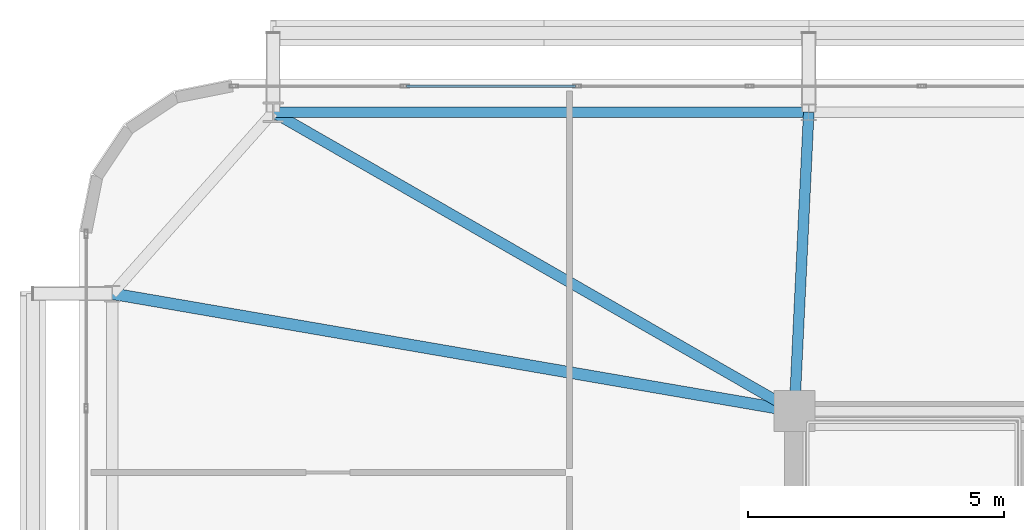
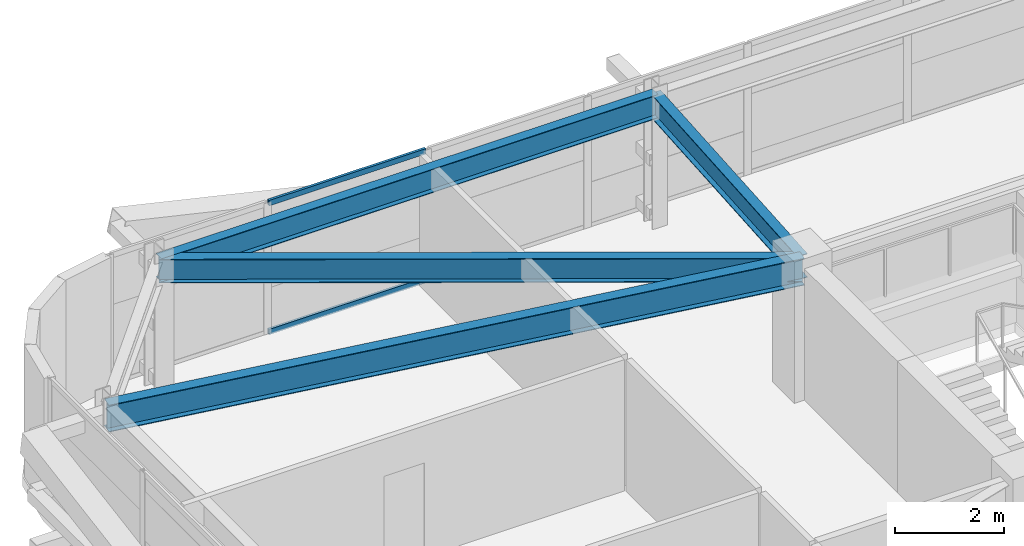
# One storey, part 34 of 58: 4 beams, 2 members, 1 element without a shape of its own.
"""IFC4 building model written with IfcOpenShell, lengths in metres."""

import ifcopenshell
import ifcopenshell.guid

model = None  # the IFC model being written
_history = None  # IfcOwnerHistory: only IFC2X3 demands one
_inside = {}  # id of a spatial element -> (the spatial element, [elements in it])
_under = {}  # id of a project, library or spatial element -> (it, [spatial elements below it])
_declared = {}  # id of a project -> (the project, [libraries it declares])
_typed = {}  # id of a type object -> (the type object, [elements of that type])
_made_of = {}  # id of a material, layer set ... -> (it, [elements and type objects made of it])


def new_model(schema):
    """Start an empty IFC model of exactly this schema.

    Asked for "IFC4X3", IfcOpenShell would pick the latest addendum, in which some entities
    have other attributes; the version numbers below select the first issue.
    IFC2X3 requires an IfcOwnerHistory on every rooted entity: one is made here for all.
    """
    global model, _history
    if schema == "IFC4X3":
        model = ifcopenshell.file(schema_version=(4, 3, 0, 0))
    else:
        model = ifcopenshell.file(schema=schema)
    _inside.clear()
    _under.clear()
    _declared.clear()
    _typed.clear()
    _made_of.clear()
    _history = None
    if model.schema == "IFC2X3":
        org = make("IfcOrganization", Name="unknown")
        user = make(
            "IfcPersonAndOrganization",
            ThePerson=make("IfcPerson", FamilyName="unknown"),
            TheOrganization=org,
        )
        app = make(
            "IfcApplication",
            ApplicationDeveloper=org,
            Version="unknown",
            ApplicationFullName="unknown",
            ApplicationIdentifier="unknown",
        )
        _history = make(
            "IfcOwnerHistory",
            OwningUser=user,
            OwningApplication=app,
            ChangeAction="ADDED",
            CreationDate=0,
        )
    return model


def make(cls, **values):
    """One entity of the class cls with the attributes given. An attribute that is None is left unset."""
    return model.create_entity(
        cls, **{name: value for name, value in values.items() if value is not None}
    )


def rooted(cls, **values):
    """An entity with a GlobalId (a new one), such as an element, a storey or a relation."""
    return make(cls, GlobalId=ifcopenshell.guid.new(), OwnerHistory=_history, **values)


def si_unit(unit_type, name, prefix=None):
    """IfcSIUnit, for example si_unit("LENGTHUNIT", "METRE", prefix="MILLI")."""
    return make("IfcSIUnit", UnitType=unit_type, Prefix=prefix, Name=name)


def assignment(units):
    """IfcUnitAssignment: the units of a project."""
    return None if units is None else make("IfcUnitAssignment", Units=units)


def point(xyz):
    """IfcCartesianPoint."""
    return None if xyz is None else make("IfcCartesianPoint", Coordinates=xyz)


def direction(xyz):
    """IfcDirection."""
    return None if xyz is None else make("IfcDirection", DirectionRatios=xyz)


def frame(location, z_axis=None, x_axis=None):
    """IfcAxis2Placement3D, a coordinate frame: its origin and axes. An axis left out is left unset."""
    return make(
        "IfcAxis2Placement3D",
        Location=point(location),
        Axis=direction(z_axis),
        RefDirection=direction(x_axis),
    )


def frame_2d(location, x_axis=None):
    """IfcAxis2Placement2D, a coordinate frame in the plane: its origin and x axis."""
    return make(
        "IfcAxis2Placement2D", Location=point(location), RefDirection=direction(x_axis)
    )


def origin():
    """The frame at (0, 0, 0) with its axes left unset."""
    return frame((0.0, 0.0, 0.0))


def origin_2d():
    """The frame at (0, 0) in the plane with its x axis left unset."""
    return frame_2d((0.0, 0.0))


def place(relative_to, where):
    """IfcLocalPlacement: puts the frame where relative to a parent placement (None: the world)."""
    return make(
        "IfcLocalPlacement", PlacementRelTo=relative_to, RelativePlacement=where
    )


def context(
    kind, dimensions, precision=None, world=None, true_north=None, identifier=None
):
    """IfcGeometricRepresentationContext, for example the 3D "Model" context."""
    return make(
        "IfcGeometricRepresentationContext",
        ContextIdentifier=identifier,
        ContextType=kind,
        CoordinateSpaceDimension=dimensions,
        Precision=precision,
        WorldCoordinateSystem=world,
        TrueNorth=true_north,
    )


def subcontext(parent, identifier, kind, view, scale=None):
    """IfcGeometricRepresentationSubContext, for example "Body" below "Model"."""
    return make(
        "IfcGeometricRepresentationSubContext",
        ContextIdentifier=identifier,
        ContextType=kind,
        ParentContext=parent,
        TargetScale=scale,
        TargetView=view,
    )


def project(units=None, contexts=None):
    """IfcProject with its units and contexts."""
    return rooted(
        "IfcProject",
        Name="project",
        RepresentationContexts=contexts,
        UnitsInContext=assignment(units),
    )


def spatial(cls, under=None, at=None, **own):
    """A site, building, storey or space (cls), placed at a placement, below another one or the project."""
    s = rooted(cls, ObjectPlacement=at, **own)
    if under is not None:
        _under.setdefault(under.id(), (under, []))[1].append(s)
    return s


def profile(cls, at=None, kind="AREA", **sizes):
    """A parametric profile (cls). Its sizes go by their IFC names, for example OverallWidth=200.0."""
    return make(cls, ProfileType=kind, Position=at, **sizes)


def hollow_rectangle(**sizes):
    """IfcRectangleHollowProfileDef."""
    return profile("IfcRectangleHollowProfileDef", **sizes)


def i_section(**sizes):
    """IfcIShapeProfileDef."""
    return profile("IfcIShapeProfileDef", **sizes)


def extrude(swept, where, along, depth):
    """IfcExtrudedAreaSolid: the profile swept, set in the frame where, extruded along a direction by depth."""
    return make(
        "IfcExtrudedAreaSolid",
        SweptArea=swept,
        Position=where,
        ExtrudedDirection=direction(along),
        Depth=depth,
    )


def shape(context_of_items, identifier, shape_type, items):
    """IfcShapeRepresentation: the items that make up one representation, for example the "Body"."""
    return make(
        "IfcShapeRepresentation",
        ContextOfItems=context_of_items,
        RepresentationIdentifier=identifier,
        RepresentationType=shape_type,
        Items=items,
    )


def source(mapping_origin, context_of_items, identifier, shape_type, items):
    """IfcRepresentationMap: a shape defined once, which mapped items show again and again."""
    return make(
        "IfcRepresentationMap",
        MappingOrigin=mapping_origin,
        MappedRepresentation=shape(context_of_items, identifier, shape_type, items),
    )


def transform(
    local_origin,
    x_axis=None,
    y_axis=None,
    z_axis=None,
    scale=None,
    scale2=None,
    scale3=None,
    uniform=True,
):
    """IfcCartesianTransformationOperator3D, or its non-uniform kind. x_axis, y_axis, z_axis: its Axis1, 2, 3."""
    if uniform:
        return make(
            "IfcCartesianTransformationOperator3D",
            Axis1=direction(x_axis),
            Axis2=direction(y_axis),
            LocalOrigin=point(local_origin),
            Scale=scale,
            Axis3=direction(z_axis),
        )
    return make(
        "IfcCartesianTransformationOperator3DnonUniform",
        Axis1=direction(x_axis),
        Axis2=direction(y_axis),
        LocalOrigin=point(local_origin),
        Scale=scale,
        Axis3=direction(z_axis),
        Scale2=scale2,
        Scale3=scale3,
    )


def mapped(mapping_source, mapping_target):
    """IfcMappedItem: shows the shape of a source again, moved by a transform."""
    return make(
        "IfcMappedItem", MappingSource=mapping_source, MappingTarget=mapping_target
    )


def material(Name=None, Category=None):
    """IfcMaterial."""
    return make("IfcMaterial", Name=Name, Category=Category)


def layer(
    of_material, thickness, ventilated=None, Name=None, Category=None, Priority=None
):
    """IfcMaterialLayer: one layer of a wall or slab, of a material (None: an air gap)."""
    return make(
        "IfcMaterialLayer",
        Material=of_material,
        LayerThickness=thickness,
        IsVentilated=ventilated,
        Name=Name,
        Category=Category,
        Priority=Priority,
    )


def layer_set(layers, Name=None):
    """IfcMaterialLayerSet."""
    return make("IfcMaterialLayerSet", MaterialLayers=layers, LayerSetName=Name)


def material_profile(
    of_material, cross_section, Name=None, Category=None, Priority=None
):
    """IfcMaterialProfile: a cross section and its material."""
    return make(
        "IfcMaterialProfile",
        Name=Name,
        Material=of_material,
        Profile=cross_section,
        Priority=Priority,
        Category=Category,
    )


def profile_set(profiles, Name=None, composite=None):
    """IfcMaterialProfileSet."""
    return make(
        "IfcMaterialProfileSet",
        Name=Name,
        MaterialProfiles=profiles,
        CompositeProfile=composite,
    )


def made_of(thing, what):
    """Note that an element or type object is made of a material, layer set ...; save() writes the relation."""
    if what is not None:
        _made_of.setdefault(what.id(), (what, []))[1].append(thing)
    return thing


def type_object(cls, material=None, **own):
    """A type object (cls), such as IfcWallType, which elements share."""
    return made_of(rooted(cls, **own), material)


def element(
    cls,
    number,
    at=None,
    inside=None,
    cuts=None,
    type_object=None,
    material=None,
    context=None,
    identifier="Body",
    shape_type=None,
    held_by="IfcProductDefinitionShape",
    body=None,
    shapes=None,
    **own,
):
    """One element of the class cls, such as IfcWall. Its Tag is "e" and its number.

    at: its placement. inside: the storey or other place that contains it. cuts: it is an
    opening in that element (IfcRelVoidsElement). A single representation is given by context,
    identifier, shape_type and body (its items); several are given by shapes. held_by: the class
    of the entity that holds the representations. save() writes the other relations.
    """
    e = rooted(cls, Tag="e%d" % number, ObjectPlacement=at, **own)
    if body is not None:
        shapes = [shape(context, identifier, shape_type, body)]
    if shapes is not None:
        e.Representation = make(held_by, Representations=shapes)
    if inside is not None:
        _inside.setdefault(inside.id(), (inside, []))[1].append(e)
    if cuts is not None:
        rooted(
            "IfcRelVoidsElement", RelatingBuildingElement=cuts, RelatedOpeningElement=e
        )
    if type_object is not None:
        _typed.setdefault(type_object.id(), (type_object, []))[1].append(e)
    return made_of(e, material)


def aggregate(whole, parts):
    """IfcRelAggregates: a whole, such as a stair, and the parts it consists of."""
    return rooted("IfcRelAggregates", RelatingObject=whole, RelatedObjects=parts)


def save(model, path):
    """Write the relations noted so far, then the file.

    IfcRelAggregates (storeys below a building ...), IfcRelContainedInSpatialStructure (elements
    in a storey), IfcRelDefinesByType, IfcRelAssociatesMaterial and IfcRelDeclares: one each for
    every whole, place, type object, material and project.
    """
    for whole, parts in _under.values():
        aggregate(whole, parts)
    for where, things in _inside.values():
        rooted(
            "IfcRelContainedInSpatialStructure",
            RelatedElements=things,
            RelatingStructure=where,
        )
    for kind, things in _typed.values():
        rooted("IfcRelDefinesByType", RelatedObjects=things, RelatingType=kind)
    for what, things in _made_of.values():
        rooted("IfcRelAssociatesMaterial", RelatedObjects=things, RelatingMaterial=what)
    for by, libraries in _declared.values():
        rooted("IfcRelDeclares", RelatingContext=by, RelatedDefinitions=libraries)
    model.write(path)


model = new_model("IFC4")

# Units and contexts
model_context = context("Model", 3, precision=1e-05, world=origin(), true_north=direction((0.0, 1.0)))
body_context = subcontext(model_context, "Body", "Model", "MODEL_VIEW")
ifc_project = project(units=[si_unit("LENGTHUNIT", "METRE"), si_unit("AREAUNIT", "SQUARE_METRE"), si_unit("VOLUMEUNIT", "CUBIC_METRE"), si_unit("PLANEANGLEUNIT", "RADIAN"), si_unit("MASSUNIT", "GRAM", prefix="KILO")], contexts=[model_context])

# Site, building, storey
site_placement = place(None, origin())
site = spatial("IfcSite", under=ifc_project, at=site_placement, CompositionType="ELEMENT")
building_placement = place(site_placement, origin())
building = spatial("IfcBuilding", under=site, at=building_placement, Name="Taldren Reach Tower", CompositionType="ELEMENT")
storey_placement = place(building_placement, frame((0.0, 0.0, 32.550048828125)))
storey = spatial("IfcBuildingStorey", under=building, at=storey_placement, Name="L09", CompositionType="ELEMENT", Elevation=32.550048828125)

# Beams
ifc_material_1 = material(Name="Steel Gr 350 (350PLUS)", Category="steel")
ifc_material_profile_1 = material_profile(ifc_material_1, i_section(OverallWidth=0.208984375, OverallDepth=0.528076171875, WebThickness=0.009521484375, FlangeThickness=0.01318359375, at=origin_2d()), Name="530UB82.0")
ifc_profile_set_1 = profile_set([ifc_material_profile_1], Name="Steel Gr 350 (350PLUS)")
beam_type_1 = type_object("IfcBeamType", Name="SP-UB530B", PredefinedType="SPANDREL", material=ifc_profile_set_1)
shared_shape_1 = source(origin(), body_context, "Body", "SweptSolid", [
    extrude(i_section(OverallWidth=0.208984375, OverallDepth=0.528076171875, WebThickness=0.009521484375, FlangeThickness=0.01318359375, at=origin_2d()), origin(), (0.0, 0.0, 1.0), 10.47998046875),
])
beam_1_placement = place(storey_placement, frame((19.280029296875, 37.85009765625, 2.666015625), z_axis=(-1.0, 0.0, 0.0), x_axis=(0.0, -1.0, 0.0)))
element("IfcBeam", 1, at=beam_1_placement, inside=storey, type_object=beam_type_1, Name="Perimeter spandrel B1 N2-N1 L09", PredefinedType="SPANDREL", context=body_context, shape_type="MappedRepresentation", body=[
    mapped(shared_shape_1, transform((0.0, 0.0, 0.0), scale=1.0)),
])
ifc_material_profile_2 = material_profile(ifc_material_1, i_section(OverallWidth=0.22802734375, OverallDepth=0.60205078125, WebThickness=0.010498046875, FlangeThickness=0.014892578125, at=origin_2d()), Name="610UB101")
ifc_profile_set_2 = profile_set([ifc_material_profile_2], Name="Steel Gr 350 (350PLUS)")
beam_type_2 = type_object("IfcBeamType", Name="BM-UB610B", PredefinedType="BEAM", material=ifc_profile_set_2)
shared_shape_2 = source(origin(), body_context, "Body", "SweptSolid", [
    extrude(i_section(OverallWidth=0.22802734375, OverallDepth=0.60205078125, WebThickness=0.010498046875, FlangeThickness=0.014892578125, at=origin_2d()), origin(), (0.0, 0.0, 1.0), 13.546875),
])
beam_2_placement = place(storey_placement, frame((19.0, 32.0, 2.62890625), z_axis=(-0.985481022998, 0.169785609847, 0.0), x_axis=(-0.169785609847, -0.985481022998, 0.0)))
element("IfcBeam", 2, at=beam_2_placement, inside=storey, type_object=beam_type_2, Name="Primary floor girder B1-W3 L09", PredefinedType="BEAM", context=body_context, shape_type="MappedRepresentation", body=[
    mapped(shared_shape_2, transform((0.0, 0.0, 0.0), scale=1.0)),
])
ifc_material_profile_3 = material_profile(ifc_material_1, i_section(OverallWidth=0.208984375, OverallDepth=0.532958984375, WebThickness=0.01025390625, FlangeThickness=0.015625, at=origin_2d()), Name="530UB92.4")
ifc_profile_set_3 = profile_set([ifc_material_profile_3], Name="Steel Gr 350 (350PLUS)")
beam_type_3 = type_object("IfcBeamType", Name="BM-UB530A", PredefinedType="BEAM", material=ifc_profile_set_3)
shared_shape_3 = source(origin(), body_context, "Body", "SweptSolid", [
    extrude(i_section(OverallWidth=0.208984375, OverallDepth=0.532958984375, WebThickness=0.01025390625, FlangeThickness=0.015625, at=origin_2d()), origin(), (0.0, 0.0, 1.0), 11.758544921875),
])
beam_3_placement = place(storey_placement, frame((19.0, 32.0, 2.663330078125), z_axis=(-0.867452414141, 0.497520159593, 0.0), x_axis=(-0.497520159593, -0.867452414141, 0.0)))
element("IfcBeam", 3, at=beam_3_placement, inside=storey, type_object=beam_type_3, Name="Primary floor girder B1-N1 L09", PredefinedType="BEAM", context=body_context, shape_type="MappedRepresentation", body=[
    mapped(shared_shape_3, transform((0.0, 0.0, 0.0), scale=1.0)),
])
shared_shape_4 = source(origin(), body_context, "Body", "SweptSolid", [
    extrude(i_section(OverallWidth=0.208984375, OverallDepth=0.532958984375, WebThickness=0.01025390625, FlangeThickness=0.015625, at=origin_2d()), origin(), (0.0, 0.0, 1.0), 5.856689453125),
])
beam_4_placement = place(storey_placement, frame((19.0, 32.0, 2.663330078125), z_axis=(0.047812711672, 0.998856318297, 0.0), x_axis=(-0.998856318297, 0.047812711672, 0.0)))
element("IfcBeam", 4, at=beam_4_placement, inside=storey, type_object=beam_type_3, Name="Primary floor girder B1-N2 L09", PredefinedType="BEAM", context=body_context, shape_type="MappedRepresentation", body=[
    mapped(shared_shape_4, transform((0.0, 0.0, 0.0), scale=1.0)),
])

# Curtain wall, members
ifc_material_2 = material(Name="Aluminium and Low-E Glass Unitised System", Category="aluminium")
ifc_layer = layer(ifc_material_2, 0.159912109375)
ifc_layer_set = layer_set([ifc_layer], Name="Aluminium and Low-E Glass Unitised System")
curtain_wall_type = type_object("IfcCurtainWallType", Name="CW-SYS-2", PredefinedType="NOTDEFINED", material=ifc_layer_set)
curtain_wall_placement = place(storey_placement, origin())
curtain_wall = element("IfcCurtainWall", 5, at=curtain_wall_placement, inside=storey, type_object=curtain_wall_type, Name="Unitised curtain wall CW-L09-N", PredefinedType="NOTDEFINED")
ifc_material_3 = material(Name="Anodised Aluminium 6063-T6", Category="aluminium")
ifc_material_profile_4 = material_profile(ifc_material_3, hollow_rectangle(XDim=0.054931640625, YDim=0.1201171875, WallThickness=0.0029296875, at=origin_2d()), Name="ALU-120x55x3RHS")
ifc_profile_set_4 = profile_set([ifc_material_profile_4], Name="Anodised Aluminium 6063-T6")
member_type = type_object("IfcMemberType", Name="CW-TRN-135", PredefinedType="USERDEFINED", material=ifc_profile_set_4)
shared_shape_5 = source(origin(), body_context, "Body", "SweptSolid", [
    extrude(hollow_rectangle(XDim=0.054931640625, YDim=0.1201171875, WallThickness=0.0029296875, at=origin_2d()), origin(), (0.0, 0.0, 1.0), 3.31005859375),
])
member_1_placement = place(storey_placement, frame((14.717529296875, 38.360107421875, 0.02734375), z_axis=(-1.0, 0.0, 0.0), x_axis=(0.0, -1.0, 0.0)))
member_1 = element("IfcMember", 6, at=member_1_placement, type_object=member_type, Name="CW-2 transom 15.1", ObjectType="TRANSOM", PredefinedType="USERDEFINED", context=body_context, shape_type="MappedRepresentation", body=[
    mapped(shared_shape_5, transform((0.0, 0.0, 0.0), scale=1.0)),
])
member_2_placement = place(storey_placement, frame((14.717529296875, 38.360107421875, 2.90234375), z_axis=(-1.0, 0.0, 0.0), x_axis=(0.0, -1.0, 0.0)))
member_2 = element("IfcMember", 7, at=member_2_placement, type_object=member_type, Name="CW-2 transom 15.2", ObjectType="TRANSOM", PredefinedType="USERDEFINED", context=body_context, shape_type="MappedRepresentation", body=[
    mapped(shared_shape_5, transform((0.0, 0.0, 0.0), scale=1.0)),
])
aggregate(curtain_wall, [member_1, member_2])

save(model, "model.ifc")
